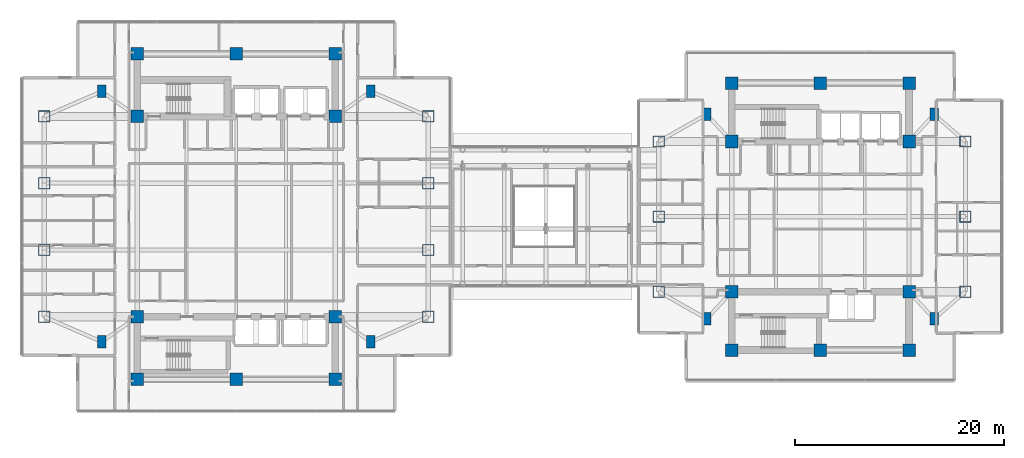
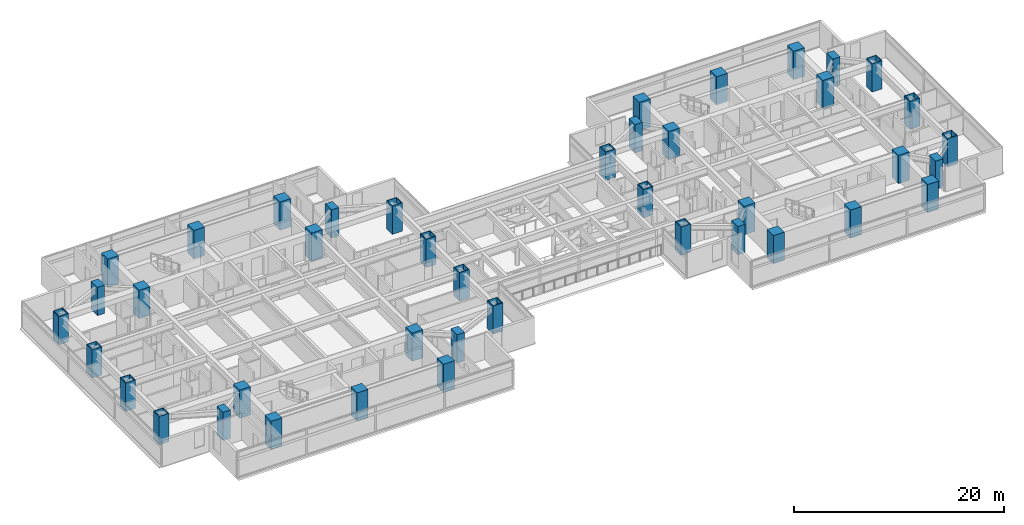
# One storey, part 1 of 28: 42 columns.
"""IFC4 building model written with IfcOpenShell, lengths in metres."""

from ifc_helpers import new_model, si_unit, direction, frame, origin, origin_2d, place, context, subcontext, project, spatial, rectangle, hollow_rectangle, extrude, material, material_profile, profile_set, type_object, element, save


model = new_model("IFC4")

# Units and contexts
model_context = context("Model", 3, precision=1e-05, world=origin(), true_north=direction((0.0, 1.0)))
body_context = subcontext(model_context, "Body", "Model", "MODEL_VIEW")
ifc_project = project(units=[si_unit("LENGTHUNIT", "METRE"), si_unit("AREAUNIT", "SQUARE_METRE"), si_unit("VOLUMEUNIT", "CUBIC_METRE"), si_unit("PLANEANGLEUNIT", "RADIAN"), si_unit("MASSUNIT", "GRAM", prefix="KILO")], contexts=[model_context])

# Site, building, storey
site_placement = place(None, origin())
site = spatial("IfcSite", under=ifc_project, at=site_placement, CompositionType="ELEMENT")
building_placement = place(site_placement, origin())
building = spatial("IfcBuilding", under=site, at=building_placement, Name="Mirazonda Arch Towers", CompositionType="ELEMENT")
storey_placement = place(building_placement, frame((0.0, 0.0, 91.699951171875)))
storey = spatial("IfcBuildingStorey", under=building, at=storey_placement, Name="L25", CompositionType="ELEMENT", Elevation=91.699951171875)

# Columns
ifc_material_1 = material(Name="Concrete C50/60", Category="concrete")
ifc_material_profile_1 = material_profile(ifc_material_1, rectangle(XDim=1.199951171875, YDim=1.199951171875, at=origin_2d()), Name="RC1200x1200")
ifc_profile_set_1 = profile_set([ifc_material_profile_1], Name="Concrete C50/60")
column_type_1 = type_object("IfcColumnType", Name="COL-INT-RC1200x1200", PredefinedType="COLUMN", material=ifc_profile_set_1)
for number, where, z_axis, x_axis, name in (
    (1, (11.0, 12.39990234375, 0.0), (0.0, 0.0, 1.0), (1.0, 0.0, 0.0), "L25 T1 Core Column 01"),
    (2, (20.5, 12.39990234375, 0.0), (0.0, 0.0, 1.0), (1.0, 0.0, 0.0), "L25 T1 Core Column 02"),
    (3, (30.0, 12.39990234375, 0.0), (0.0, 0.0, 1.0), (1.0, 0.0, 0.0), "L25 T1 Core Column 03"),
    (4, (11.0, 18.39990234375, 0.0), (0.0, 0.0, 1.0), (1.0, 0.0, 0.0), "L25 T1 Core Column 04"),
    (5, (30.0, 18.39990234375, 0.0), (0.0, 0.0, 1.0), (1.0, 0.0, 0.0), "L25 T1 Core Column 05"),
    (6, (11.0, 37.60009765625, 0.0), (0.0, 0.0, 1.0), (1.0, 0.0, 0.0), "L25 T1 Core Column 06"),
    (7, (30.0, 37.60009765625, 0.0), (0.0, 0.0, 1.0), (1.0, 0.0, 0.0), "L25 T1 Core Column 07"),
    (8, (11.0, 43.60009765625, 0.0), (0.0, 0.0, 1.0), (1.0, 0.0, 0.0), "L25 T1 Core Column 08"),
    (9, (20.5, 43.60009765625, 0.0), (0.0, 0.0, 1.0), (1.0, 0.0, 0.0), "L25 T1 Core Column 09"),
    (10, (30.0, 43.60009765625, 0.0), (0.0, 0.0, 1.0), (1.0, 0.0, 0.0), "L25 T1 Core Column 10"),
    (11, (68.0, 15.199951171875, 0.0), (0.0, 0.0, 1.0), (1.0, 0.0, 0.0), "L25 T2 Core Column 01"),
    (12, (76.5, 15.199951171875, 0.0), (0.0, 0.0, 1.0), (1.0, 0.0, 0.0), "L25 T2 Core Column 02"),
    (13, (85.0, 15.199951171875, 0.0), (0.0, 0.0, 1.0), (1.0, 0.0, 0.0), "L25 T2 Core Column 03"),
    (14, (68.0, 20.800048828125, 0.0), (0.0, 0.0, 1.0), (1.0, 0.0, 0.0), "L25 T2 Core Column 04"),
    (15, (85.0, 20.800048828125, 0.0), (0.0, 0.0, 1.0), (1.0, 0.0, 0.0), "L25 T2 Core Column 05"),
    (16, (68.0, 35.199951171875, 0.0), (0.0, 0.0, 1.0), (1.0, 0.0, 0.0), "L25 T2 Core Column 06"),
    (17, (85.0, 35.199951171875, 0.0), (0.0, 0.0, 1.0), (1.0, 0.0, 0.0), "L25 T2 Core Column 07"),
    (18, (68.0, 40.800048828125, 0.0), (0.0, 0.0, 1.0), (1.0, 0.0, 0.0), "L25 T2 Core Column 08"),
    (19, (76.5, 40.800048828125, 0.0), (0.0, 0.0, 1.0), (1.0, 0.0, 0.0), "L25 T2 Core Column 09"),
    (20, (85.0, 40.800048828125, 0.0), (0.0, 0.0, 1.0), (1.0, 0.0, 0.0), "L25 T2 Core Column 10"),
):
    element("IfcColumn", number, at=place(storey_placement, frame(where, z_axis=z_axis, x_axis=x_axis)), inside=storey, type_object=column_type_1, Name=name, PredefinedType="COLUMN", context=body_context, shape_type="SweptSolid", body=[
        extrude(rectangle(XDim=1.199951171875, YDim=1.199951171875, at=origin_2d()), origin(), (0.0, 0.0, 1.0), 3.300048828125),
    ])
ifc_material_2 = material(Name="Steel ASTM A572 Grade 50", Category="steel")
ifc_material_profile_2 = material_profile(ifc_material_2, hollow_rectangle(XDim=1.10009765625, YDim=1.10009765625, WallThickness=0.06005859375, at=origin_2d()), Name="BOX1100x1100x60")
ifc_profile_set_2 = profile_set([ifc_material_profile_2], Name="Steel ASTM A572 Grade 50")
column_type_2 = type_object("IfcColumnType", Name="MCOL-EXT-BOX1100x1100x60", PredefinedType="COLUMN", material=ifc_profile_set_2)
for number, where, z_axis, x_axis, name in (
    (21, (2.10009765625, 18.39990234375, 0.0), (0.0, 0.0, 1.0), (1.0, 0.0, 0.0), "L25 T1 Composite Mega-Column 01"),
    (22, (2.10009765625, 24.800048828125, 0.0), (0.0, 0.0, 1.0), (1.0, 0.0, 0.0), "L25 T1 Composite Mega-Column 02"),
    (23, (2.10009765625, 31.199951171875, 0.0), (0.0, 0.0, 1.0), (1.0, 0.0, 0.0), "L25 T1 Composite Mega-Column 03"),
    (24, (2.10009765625, 37.60009765625, 0.0), (0.0, 0.0, 1.0), (1.0, 0.0, 0.0), "L25 T1 Composite Mega-Column 04"),
    (25, (38.89990234375, 18.39990234375, 0.0), (0.0, 0.0, 1.0), (1.0, 0.0, 0.0), "L25 T1 Composite Mega-Column 05"),
    (26, (38.89990234375, 24.800048828125, 0.0), (0.0, 0.0, 1.0), (1.0, 0.0, 0.0), "L25 T1 Composite Mega-Column 06"),
    (27, (38.89990234375, 31.199951171875, 0.0), (0.0, 0.0, 1.0), (1.0, 0.0, 0.0), "L25 T1 Composite Mega-Column 07"),
    (28, (38.89990234375, 37.60009765625, 0.0), (0.0, 0.0, 1.0), (1.0, 0.0, 0.0), "L25 T1 Composite Mega-Column 08"),
    (29, (61.0, 20.800048828125, 0.0), (0.0, 0.0, 1.0), (1.0, 0.0, 0.0), "L25 T2 Composite Mega-Column 01"),
    (30, (61.0, 28.0, 0.0), (0.0, 0.0, 1.0), (1.0, 0.0, 0.0), "L25 T2 Composite Mega-Column 02"),
    (31, (61.0, 35.199951171875, 0.0), (0.0, 0.0, 1.0), (1.0, 0.0, 0.0), "L25 T2 Composite Mega-Column 03"),
    (32, (90.39990234375, 20.800048828125, 0.0), (0.0, 0.0, 1.0), (1.0, 0.0, 0.0), "L25 T2 Composite Mega-Column 04"),
    (33, (90.39990234375, 28.0, 0.0), (0.0, 0.0, 1.0), (1.0, 0.0, 0.0), "L25 T2 Composite Mega-Column 05"),
    (34, (90.39990234375, 35.199951171875, 0.0), (0.0, 0.0, 1.0), (1.0, 0.0, 0.0), "L25 T2 Composite Mega-Column 06"),
):
    element("IfcColumn", number, at=place(storey_placement, frame(where, z_axis=z_axis, x_axis=x_axis)), inside=storey, type_object=column_type_2, Name=name, PredefinedType="COLUMN", context=body_context, shape_type="SweptSolid", body=[
        extrude(hollow_rectangle(XDim=1.10009765625, YDim=1.10009765625, WallThickness=0.06005859375, at=origin_2d()), origin(), (0.0, 0.0, 1.0), 3.300048828125),
    ])
ifc_material_3 = material(Name="Concrete C60/75", Category="concrete")
ifc_material_profile_3 = material_profile(ifc_material_3, rectangle(XDim=0.800048828125, YDim=1.199951171875, at=origin_2d()), Name="RC1200x800")
ifc_profile_set_3 = profile_set([ifc_material_profile_3], Name="Concrete C60/75")
column_type_3 = type_object("IfcColumnType", Name="PIL-EXT-RC1200x800", PredefinedType="PILASTER", material=ifc_profile_set_3)
for number, where, z_axis, x_axis, name in (
    (35, (7.60009765625, 16.0, 0.0), (0.0, 0.0, 1.0), (1.0, 0.0, 0.0), "L25 T1 Corner Pilaster 01"),
    (36, (33.39990234375, 16.0, 0.0), (0.0, 0.0, 1.0), (1.0, 0.0, 0.0), "L25 T1 Corner Pilaster 02"),
    (37, (7.60009765625, 40.0, 0.0), (0.0, 0.0, 1.0), (1.0, 0.0, 0.0), "L25 T1 Corner Pilaster 03"),
    (38, (33.39990234375, 40.0, 0.0), (0.0, 0.0, 1.0), (1.0, 0.0, 0.0), "L25 T1 Corner Pilaster 04"),
    (39, (65.60009765625, 18.199951171875, 0.0), (0.0, 0.0, 1.0), (1.0, 0.0, 0.0), "L25 T2 Corner Pilaster 01"),
    (40, (87.39990234375, 18.199951171875, 0.0), (0.0, 0.0, 1.0), (1.0, 0.0, 0.0), "L25 T2 Corner Pilaster 02"),
    (41, (65.60009765625, 37.800048828125, 0.0), (0.0, 0.0, 1.0), (1.0, 0.0, 0.0), "L25 T2 Corner Pilaster 03"),
    (42, (87.39990234375, 37.800048828125, 0.0), (0.0, 0.0, 1.0), (1.0, 0.0, 0.0), "L25 T2 Corner Pilaster 04"),
):
    element("IfcColumn", number, at=place(storey_placement, frame(where, z_axis=z_axis, x_axis=x_axis)), inside=storey, type_object=column_type_3, Name=name, PredefinedType="PILASTER", context=body_context, shape_type="SweptSolid", body=[
        extrude(rectangle(XDim=0.800048828125, YDim=1.199951171875, at=origin_2d()), origin(), (0.0, 0.0, 1.0), 3.300048828125),
    ])

save(model, "model.ifc")
